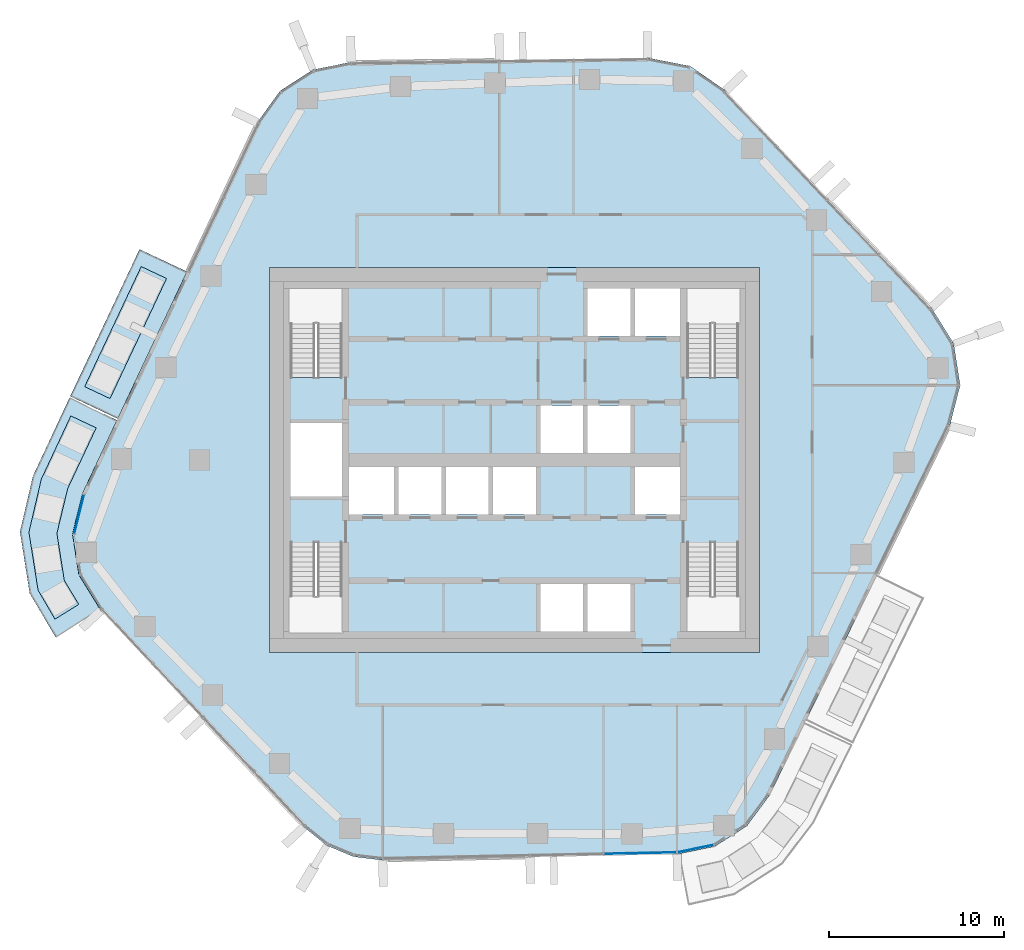
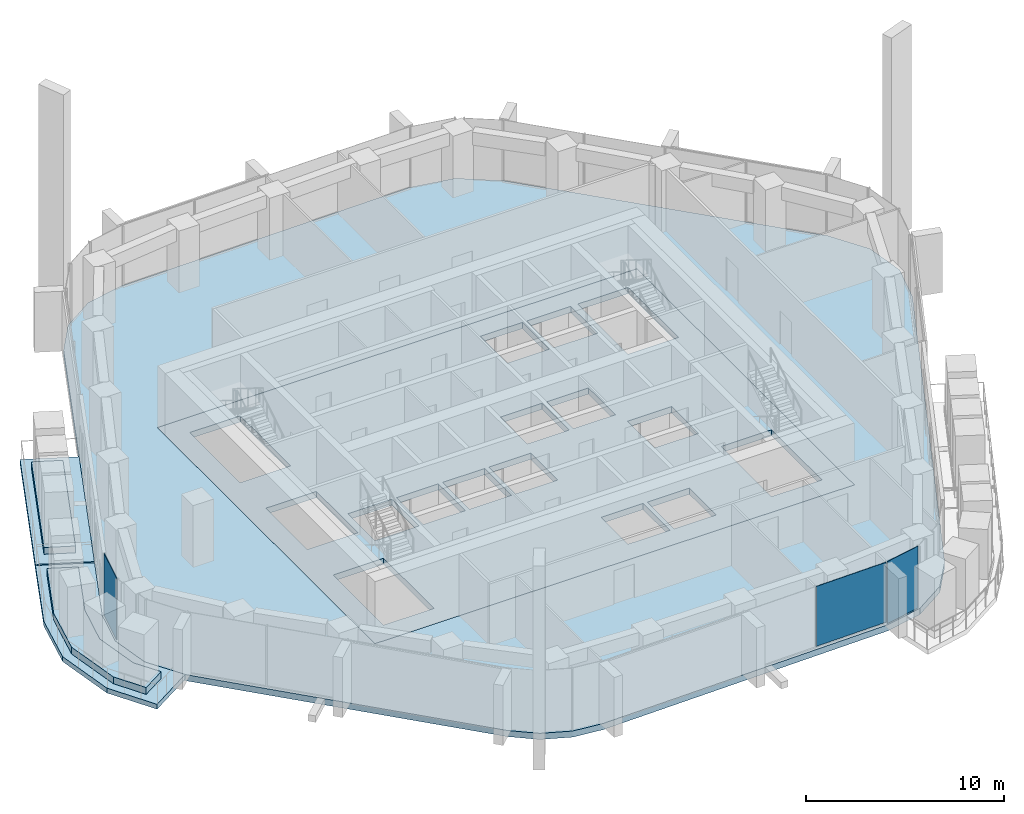
# One storey, part 9 of 18: 6 slabs, 3 plates, 3 elements without a shape of their own.
"""IFC4 building model written with IfcOpenShell, lengths in metres."""

from ifc_helpers import new_model, si_unit, direction, frame, origin, origin_2d, place, context, subcontext, project, spatial, polyline, rectangle, outline, extrude, material, layer, layer_set, type_object, element, aggregate, save


model = new_model("IFC4")

# Units and contexts
model_context = context("Model", 3, precision=1e-05, world=origin(), true_north=direction((0.0, 1.0)))
body_context = subcontext(model_context, "Body", "Model", "MODEL_VIEW")
ifc_project = project(units=[si_unit("LENGTHUNIT", "METRE"), si_unit("AREAUNIT", "SQUARE_METRE"), si_unit("VOLUMEUNIT", "CUBIC_METRE"), si_unit("PLANEANGLEUNIT", "RADIAN"), si_unit("MASSUNIT", "GRAM", prefix="KILO")], contexts=[model_context])

# Site, building, storey
site_placement = place(None, origin())
site = spatial("IfcSite", under=ifc_project, at=site_placement, CompositionType="ELEMENT")
building_placement = place(site_placement, origin())
building = spatial("IfcBuilding", under=site, at=building_placement, Name="Dongbaek Canopy Tower", CompositionType="ELEMENT")
storey_placement = place(building_placement, frame((0.0, 0.0, 158.60009765625)))
storey = spatial("IfcBuildingStorey", under=building, at=storey_placement, Name="L34", CompositionType="ELEMENT", Elevation=158.60009765625)

# Slabs
ifc_material_1 = material(Name="Concrete C40/50", Category="concrete")
ifc_layer_1 = layer(ifc_material_1, 0.300048828125)
ifc_layer_set_1 = layer_set([ifc_layer_1], Name="Balcony slab 300")
slab_type_1 = type_object("IfcSlabType", Name="Balcony slab 300", PredefinedType="FLOOR", material=ifc_layer_set_1)
slab_1_placement = place(storey_placement, frame((0.0, 0.0, -0.300048828125)))
element("IfcSlab", 1, at=slab_1_placement, inside=storey, type_object=slab_type_1, Name="Balcony L34 1", PredefinedType="FLOOR", context=body_context, shape_type="SweptSolid", body=[
    extrude(outline(polyline([(-18.70703125, 10.754638671875), (-22.66259765625, 2.359130859375), (-25.37646484375, 3.6376953125), (-21.4208984375, 12.033203125), (-18.70703125, 10.754638671875)])), origin(), (0.0, 0.0, 1.0), 0.300048828125),
])
slab_2_placement = place(storey_placement, frame((0.0, 0.0, -0.300048828125)))
element("IfcSlab", 2, at=slab_2_placement, inside=storey, type_object=slab_type_1, Name="Balcony L34 3", PredefinedType="FLOOR", context=body_context, shape_type="SweptSolid", body=[
    extrude(outline(polyline([(-22.705078125, 2.2685546875), (-24.682861328125, -1.928955078125), (-25.249755859375, -4.231201171875), (-24.880615234375, -6.5732421875), (-23.6591796875, -8.546630859375), (-26.21044921875, -10.125244140625), (-27.693115234375, -7.616455078125), (-28.246826171875, -4.103515625), (-27.51025390625, -0.92626953125), (-25.4189453125, 3.54736328125), (-22.705078125, 2.2685546875)])), origin(), (0.0, 0.0, 1.0), 0.300048828125),
])

# Curtain wall, plate
ifc_material_2 = material(Name="Aluminium 6063-T6 pale anodised", Category="aluminium")
ifc_layer_2 = layer(ifc_material_2, 0.199951171875)
ifc_layer_set_2 = layer_set([ifc_layer_2], Name="CW-1 unitised tower curtain wall")
curtain_wall_type = type_object("IfcCurtainWallType", Name="CW-1 unitised tower curtain wall", PredefinedType="NOTDEFINED", material=ifc_layer_set_2)
curtain_wall_1_placement = place(storey_placement, origin())
curtain_wall_1 = element("IfcCurtainWall", 3, at=curtain_wall_1_placement, inside=storey, type_object=curtain_wall_type, Name="CW-1 curtain wall K3.1a", PredefinedType="NOTDEFINED")
ifc_material_3 = material(Name="Clear laminated glass", Category="glass")
ifc_layer_3 = layer(ifc_material_3, 0.028076171875)
ifc_layer_set_3 = layer_set([ifc_layer_3], Name="CW-1 glazed panel 28")
plate_type = type_object("IfcPlateType", Name="CW-1 glazed panel 28", PredefinedType="CURTAIN_PANEL", material=ifc_layer_set_3)
plate_1_placement = place(storey_placement, frame((-24.867919921875, -3.09912109375, 0.0), z_axis=(0.0, 0.0, 1.0), x_axis=(-0.23907682537, -0.971000654774, 0.0)))
plate_1 = element("IfcPlate", 4, at=plate_1_placement, type_object=plate_type, Name="CW-1 panel K3.1a.1.1", PredefinedType="CURTAIN_PANEL", context=body_context, shape_type="SweptSolid", body=[
    extrude(rectangle(XDim=2.2568359375, YDim=0.028076171875, at=origin_2d()), origin(), (0.0, 0.0, 1.0), 3.820068359375),
])
aggregate(curtain_wall_1, [plate_1])

curtain_wall_2_placement = place(storey_placement, origin())
curtain_wall_2 = element("IfcCurtainWall", 5, at=curtain_wall_2_placement, inside=storey, type_object=curtain_wall_type, Name="CW-1 curtain wall F4.1", PredefinedType="NOTDEFINED")
plate_2_placement = place(storey_placement, frame((7.185546875, -22.46142578125, 0.1201171875), z_axis=(0.0, 0.0, 1.0), x_axis=(0.999789551029, 0.020514717954, 0.0)))
plate_2 = element("IfcPlate", 6, at=plate_2_placement, type_object=plate_type, Name="CW-1 panel F4.1.4.1", PredefinedType="CURTAIN_PANEL", context=body_context, shape_type="SweptSolid", body=[
    extrude(rectangle(XDim=4.1142578125, YDim=0.028076171875, at=origin_2d()), origin(), (0.0, 0.0, 1.0), 3.699951171875),
])
aggregate(curtain_wall_2, [plate_2])

curtain_wall_3_placement = place(storey_placement, origin())
curtain_wall_3 = element("IfcCurtainWall", 7, at=curtain_wall_3_placement, inside=storey, type_object=curtain_wall_type, Name="CW-1 curtain wall K5.1a", PredefinedType="NOTDEFINED")
plate_3_placement = place(storey_placement, frame((10.33837890625, -22.201171875, 0.0), z_axis=(0.0, 0.0, 1.0), x_axis=(0.979423636575, 0.2018151137, 0.0)))
plate_3 = element("IfcPlate", 8, at=plate_3_placement, type_object=plate_type, Name="CW-1 panel K5.1a.1.1", PredefinedType="CURTAIN_PANEL", context=body_context, shape_type="SweptSolid", body=[
    extrude(rectangle(XDim=2.068603515625, YDim=0.028076171875, at=origin_2d()), origin(), (0.0, 0.0, 1.0), 3.820068359375),
])
aggregate(curtain_wall_3, [plate_3])

# Slabs
ifc_material_4 = material(Name="Concrete C40/50", Category="concrete")
ifc_layer_4 = layer(ifc_material_4, 0.3798828125)
ifc_layer_set_4 = layer_set([ifc_layer_4], Name="Core floor slab 380 Concrete C40/50")
slab_type_2 = type_object("IfcSlabType", Name="Core floor slab 380 Concrete C40/50", PredefinedType="FLOOR", material=ifc_layer_set_4)
slab_3_placement = place(storey_placement, frame((0.0, 0.0, -0.380126953125)))
element("IfcSlab", 9, at=slab_3_placement, inside=storey, type_object=slab_type_2, Name="Core floor slab L34", PredefinedType="FLOOR", context=body_context, shape_type="SweptSolid", body=[
    extrude(outline(polyline([(14.0, -11.0), (14.0, 11.0), (-14.0, 11.0), (-14.0, -11.0), (14.0, -11.0)]), holes=[polyline([(-12.800048828125, 2.10009765625), (-9.85009765625, 2.10009765625), (-9.85009765625, -2.10009765625), (-12.800048828125, -2.10009765625), (-12.800048828125, 2.10009765625)]), polyline([(6.625, 9.800048828125), (6.625, 7.074951171875), (4.175048828125, 7.074951171875), (4.175048828125, 9.800048828125), (6.625, 9.800048828125)]), polyline([(9.449951171875, 7.074951171875), (6.875, 7.074951171875), (6.875, 9.800048828125), (9.449951171875, 9.800048828125), (9.449951171875, 7.074951171875)]), polyline([(3.925048828125, 3.125), (3.925048828125, 0.39990234375), (1.47509765625, 0.39990234375), (1.47509765625, 3.125), (3.925048828125, 3.125)]), polyline([(4.175048828125, 3.125), (6.625, 3.125), (6.625, 0.39990234375), (4.175048828125, 0.39990234375), (4.175048828125, 3.125)]), polyline([(-9.449951171875, -0.39990234375), (-6.875, -0.39990234375), (-6.875, -3.125), (-9.449951171875, -3.125), (-9.449951171875, -0.39990234375)]), polyline([(-6.625, -0.39990234375), (-4.175048828125, -0.39990234375), (-4.175048828125, -3.125), (-6.625, -3.125), (-6.625, -0.39990234375)]), polyline([(-3.925048828125, -0.39990234375), (-1.47509765625, -0.39990234375), (-1.47509765625, -3.125), (-3.925048828125, -3.125), (-3.925048828125, -0.39990234375)]), polyline([(-1.22509765625, -0.39990234375), (1.22509765625, -0.39990234375), (1.22509765625, -3.125), (-1.22509765625, -3.125), (-1.22509765625, -0.39990234375)]), polyline([(9.449951171875, -3.125), (6.875, -3.125), (6.875, -0.39990234375), (9.449951171875, -0.39990234375), (9.449951171875, -3.125)]), polyline([(1.47509765625, -9.800048828125), (1.47509765625, -7.074951171875), (3.925048828125, -7.074951171875), (3.925048828125, -9.800048828125), (1.47509765625, -9.800048828125)]), polyline([(4.175048828125, -9.800048828125), (4.175048828125, -7.074951171875), (6.625, -7.074951171875), (6.625, -9.800048828125), (4.175048828125, -9.800048828125)]), polyline([(12.800048828125, 4.70068359375), (12.800048828125, 9.800048828125), (9.85009765625, 9.800048828125), (9.85009765625, 4.70068359375), (12.800048828125, 4.70068359375)]), polyline([(-9.85009765625, 4.70068359375), (-9.85009765625, 9.800048828125), (-12.800048828125, 9.800048828125), (-12.800048828125, 4.70068359375), (-9.85009765625, 4.70068359375)]), polyline([(9.85009765625, -4.70068359375), (9.85009765625, -9.800048828125), (12.800048828125, -9.800048828125), (12.800048828125, -4.70068359375), (9.85009765625, -4.70068359375)]), polyline([(-12.800048828125, -4.70068359375), (-12.800048828125, -9.800048828125), (-9.85009765625, -9.800048828125), (-9.85009765625, -4.70068359375), (-12.800048828125, -4.70068359375)])]), origin(), (0.0, 0.0, 1.0), 0.380126953125),
])
ifc_material_5 = material(Name="Concrete C40", Category="concrete")
ifc_layer_5 = layer(ifc_material_5, 0.3798828125)
ifc_layer_set_5 = layer_set([ifc_layer_5], Name="RC FLAT PLATE 380 Concrete C40")
slab_type_3 = type_object("IfcSlabType", Name="RC FLAT PLATE 380 Concrete C40", PredefinedType="FLOOR", material=ifc_layer_set_5)
slab_4_placement = place(storey_placement, frame((0.0, 0.0, -0.380126953125)))
element("IfcSlab", 10, at=slab_4_placement, inside=storey, type_object=slab_type_3, Name="SLAB:L34", PredefinedType="FLOOR", context=body_context, shape_type="SweptSolid", body=[
    extrude(outline(polyline([(14.564208984375, -19.1513671875), (13.267822265625, -20.904296875), (11.4306640625, -22.078125), (9.29541015625, -22.518310546875), (-7.531005859375, -22.863525390625), (-9.1904296875, -22.664794921875), (-10.73046875, -22.01611328125), (-12.031982421875, -20.967529296875), (-23.633056640625, -8.589111328125), (-24.880615234375, -6.572998046875), (-25.249755859375, -4.231201171875), (-24.682861328125, -1.92919921875), (-14.6875, 19.285888671875), (-13.38671875, 21.083984375), (-11.520751953125, 22.286376953125), (-9.345703125, 22.727783203125), (7.61376953125, 22.97021484375), (10.029541015625, 22.499755859375), (12.053466796875, 21.09912109375), (23.817626953125, 8.69140625), (25.090576171875, 6.645751953125), (25.4560546875, 4.264404296875), (24.85546875, 1.93115234375), (14.564208984375, -19.1513671875)]), holes=[polyline([(14.0, 11.0), (-14.0, 11.0), (-14.0, -11.0), (14.0, -11.0), (14.0, 11.0)])]), origin(), (0.0, 0.0, 1.0), 0.380126953125),
])
ifc_material_6 = material(Name="Reinforced concrete C40/50 planter box with soil", Category="concrete")
ifc_layer_6 = layer(ifc_material_6, 0.419921875)
ifc_layer_set_6 = layer_set([ifc_layer_6], Name="Terrace planter box 1600 x 420")
slab_type_4 = type_object("IfcSlabType", Name="Terrace planter box 1600 x 420", PredefinedType="USERDEFINED", material=ifc_layer_set_6)
slab_5_placement = place(storey_placement, origin())
element("IfcSlab", 11, at=slab_5_placement, inside=storey, type_object=slab_type_4, Name="Balcony planter L34 1", ObjectType="PLANTER", PredefinedType="USERDEFINED", context=body_context, shape_type="SweptSolid", body=[
    extrude(outline(polyline([(-19.87451171875, 10.364990234375), (-23.105224609375, 3.50732421875), (-24.552734375, 4.189208984375), (-21.32177734375, 11.046875), (-19.87451171875, 10.364990234375)])), origin(), (0.0, 0.0, 1.0), 0.419921875),
])
slab_6_placement = place(storey_placement, origin())
element("IfcSlab", 12, at=slab_6_placement, inside=storey, type_object=slab_type_4, Name="Balcony planter L34 3", ObjectType="PLANTER", PredefinedType="USERDEFINED", context=body_context, shape_type="SweptSolid", body=[
    extrude(outline(polyline([(-23.893798828125, 1.833740234375), (-25.521728515625, -1.631591796875), (-26.138916015625, -4.193359375), (-25.71484375, -6.882568359375), (-24.8896484375, -8.249755859375), (-26.250244140625, -9.091552734375), (-27.215087890625, -7.439208984375), (-27.7373046875, -4.125244140625), (-27.029541015625, -1.0966796875), (-25.34130859375, 2.515869140625), (-23.893798828125, 1.833740234375)])), origin(), (0.0, 0.0, 1.0), 0.419921875),
])

save(model, "model.ifc")
